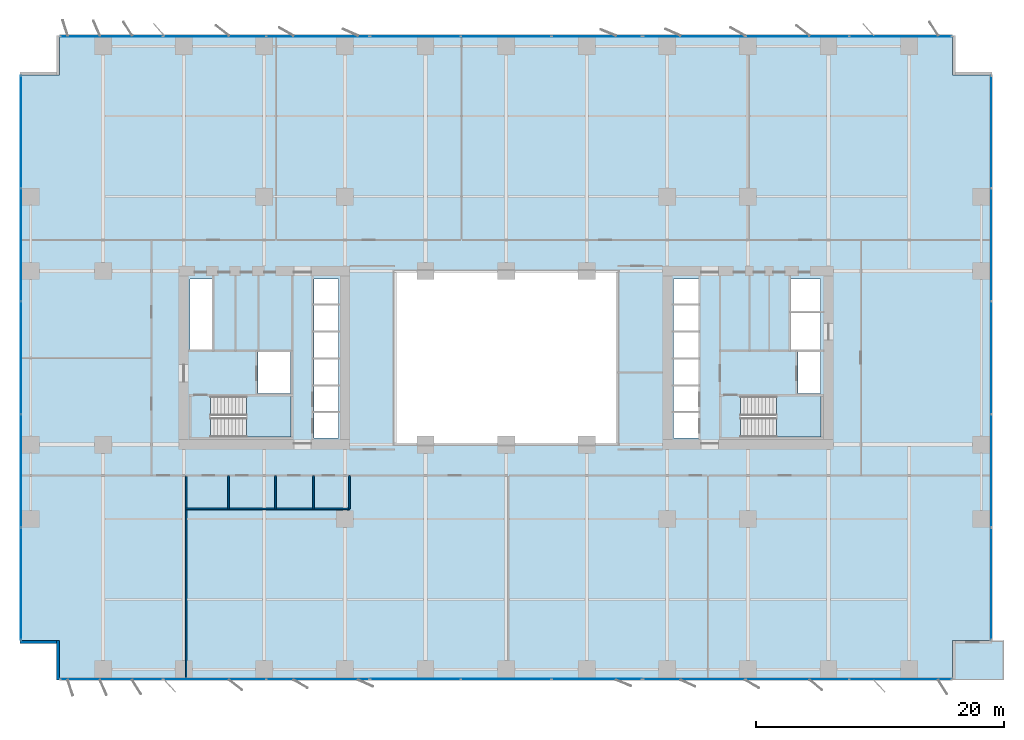
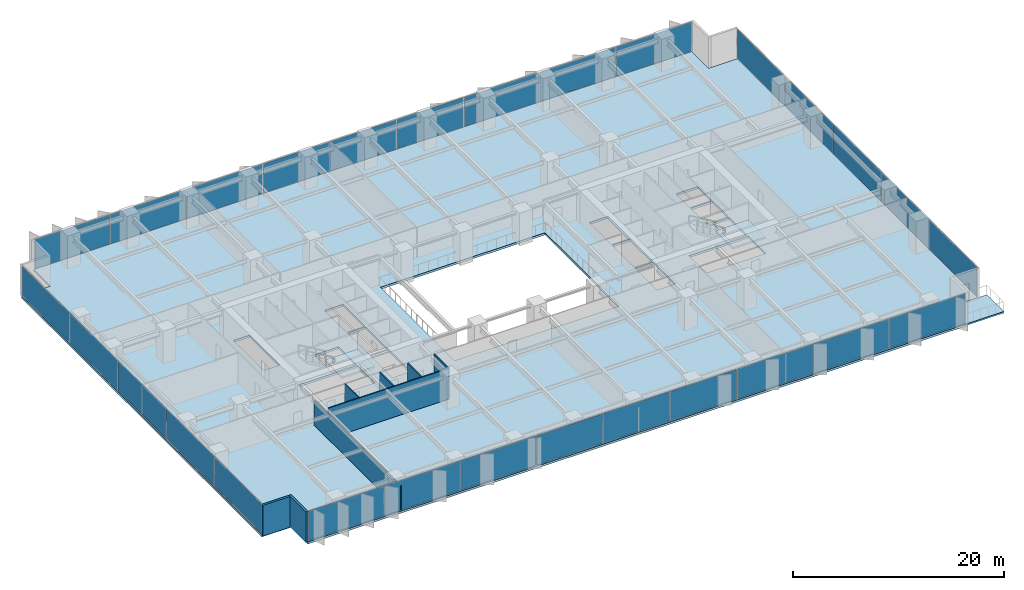
# One storey, part 12 of 20: 28 plates, 8 walls, 4 slabs, 10 elements without a shape of their own.
"""IFC4 building model written with IfcOpenShell, lengths in metres."""

from ifc_helpers import new_model, si_unit, direction, frame, frame_2d, origin, origin_2d, place, context, subcontext, project, spatial, polyline, rectangle, outline, extrude, material, layer, layer_set, type_object, element, aggregate, save


model = new_model("IFC4")

# Units and contexts
model_context = context("Model", 3, precision=1e-05, world=origin(), true_north=direction((0.0, 1.0)))
body_context = subcontext(model_context, "Body", "Model", "MODEL_VIEW")
ifc_project = project(units=[si_unit("LENGTHUNIT", "METRE"), si_unit("AREAUNIT", "SQUARE_METRE"), si_unit("VOLUMEUNIT", "CUBIC_METRE"), si_unit("PLANEANGLEUNIT", "RADIAN"), si_unit("MASSUNIT", "GRAM", prefix="KILO")], contexts=[model_context])

# Site, building, storey
site_placement = place(None, origin())
site = spatial("IfcSite", under=ifc_project, at=site_placement, CompositionType="ELEMENT")
building_placement = place(site_placement, origin())
building = spatial("IfcBuilding", under=site, at=building_placement, Name="Putna Gate Headquarters", CompositionType="ELEMENT")
storey_placement = place(building_placement, frame((0.0, 0.0, 46.800048828125)))
storey = spatial("IfcBuildingStorey", under=building, at=storey_placement, Name="L10", CompositionType="ELEMENT", Elevation=46.800048828125)

# Stair, slab
ifc_material_1 = material(Name="Concrete C40/50", Category="concrete")
stair_type_1 = type_object("IfcStairType", Name="STAIR-ST1", PredefinedType="HALF_TURN_STAIR", material=ifc_material_1)
stair_1_placement = place(storey_placement, origin())
stair_1 = element("IfcStair", 1, at=stair_1_placement, inside=storey, type_object=stair_type_1, Name="L10 West Core Exit Stair ST1", PredefinedType="HALF_TURN_STAIR")
ifc_layer_1 = layer(ifc_material_1, 0.199951171875)
ifc_layer_set_1 = layer_set([ifc_layer_1], Name="Concrete C40/50")
slab_type_1 = type_object("IfcSlabType", Name="LANDING-ST1", PredefinedType="LANDING", material=ifc_layer_set_1)
slab_1_placement = place(storey_placement, frame((0.0, 0.0, 1.699951171875)))
slab_1 = element("IfcSlab", 2, at=slab_1_placement, type_object=slab_type_1, Name="ST1 landing 1", PredefinedType="LANDING", context=body_context, shape_type="SweptSolid", body=[
    extrude(outline(polyline([(18.050048828125, 19.60009765625), (21.64990234375, 19.60009765625), (21.64990234375, 22.89990234375), (18.050048828125, 22.89990234375), (18.050048828125, 19.60009765625)])), origin(), (0.0, 0.0, 1.0), 0.199951171875),
])
aggregate(stair_1, [slab_1])

stair_type_2 = type_object("IfcStairType", Name="STAIR-ST2", PredefinedType="HALF_TURN_STAIR", material=ifc_material_1)
stair_2_placement = place(storey_placement, origin())
stair_2 = element("IfcStair", 3, at=stair_2_placement, inside=storey, type_object=stair_type_2, Name="L10 East Core Exit Stair ST2", PredefinedType="HALF_TURN_STAIR")
ifc_layer_2 = layer(ifc_material_1, 0.199951171875)
ifc_layer_set_2 = layer_set([ifc_layer_2], Name="Concrete C40/50")
slab_type_2 = type_object("IfcSlabType", Name="LANDING-ST2", PredefinedType="LANDING", material=ifc_layer_set_2)
slab_2_placement = place(storey_placement, frame((0.0, 0.0, 1.699951171875)))
slab_2 = element("IfcSlab", 4, at=slab_2_placement, type_object=slab_type_2, Name="ST2 landing 1", PredefinedType="LANDING", context=body_context, shape_type="SweptSolid", body=[
    extrude(outline(polyline([(60.800048828125, 19.60009765625), (64.39990234375, 19.60009765625), (64.39990234375, 22.89990234375), (60.800048828125, 22.89990234375), (60.800048828125, 19.60009765625)])), origin(), (0.0, 0.0, 1.0), 0.199951171875),
])
aggregate(stair_2, [slab_2])

# Curtain wall, plates
ifc_material_2 = material(Name="Anodised bronze aluminium curtain wall", Category="aluminium")
ifc_layer_3 = layer(ifc_material_2, 0.179931640625)
ifc_layer_set_3 = layer_set([ifc_layer_3], Name="Anodised bronze aluminium curtain wall")
curtain_wall_type_1 = type_object("IfcCurtainWallType", Name="CW-SYS-Z1", PredefinedType="USERDEFINED", material=ifc_layer_set_3)
curtain_wall_1_placement = place(storey_placement, origin())
curtain_wall_1 = element("IfcCurtainWall", 5, at=curtain_wall_1_placement, inside=storey, type_object=curtain_wall_type_1, Name="L10 South West Curtain Wall", ObjectType="STICK CURTAIN WALL", PredefinedType="USERDEFINED")
ifc_material_3 = material(Name="Solar-control triple low-E glass", Category="glass")
ifc_layer_4 = layer(ifc_material_3, 0.031982421875)
ifc_layer_set_4 = layer_set([ifc_layer_4], Name="Solar-control triple low-E glass")
plate_type_1 = type_object("IfcPlateType", Name="PAN-CWP-1", PredefinedType="CURTAIN_PANEL", material=ifc_layer_set_4)
plate_1_placement = place(storey_placement, frame((7.18408203125, 0.080078125, 0.06494140625), z_axis=(0.0, 0.0, 1.0), x_axis=(1.0, 0.0, 0.0)))
plate_1 = element("IfcPlate", 6, at=plate_1_placement, type_object=plate_type_1, Name="CWS-1 panel 1.1", PredefinedType="CURTAIN_PANEL", context=body_context, shape_type="SweptSolid", body=[
    extrude(rectangle(XDim=8.228271484375, YDim=0.031982421875, at=origin_2d()), origin(), (0.0, 0.0, 1.0), 3.419921875),
])
plate_2_placement = place(storey_placement, frame((15.5, 0.080078125, 0.06494140625), z_axis=(0.0, 0.0, 1.0), x_axis=(1.0, 0.0, 0.0)))
plate_2 = element("IfcPlate", 7, at=plate_2_placement, type_object=plate_type_1, Name="CWS-1 panel 2.1", PredefinedType="CURTAIN_PANEL", context=body_context, shape_type="SweptSolid", body=[
    extrude(rectangle(XDim=8.263427734375, YDim=0.031982421875, at=origin_2d()), origin(), (0.0, 0.0, 1.0), 3.419921875),
])
plate_3_placement = place(storey_placement, frame((23.81591796875, 0.080078125, 0.06494140625), z_axis=(0.0, 0.0, 1.0), x_axis=(1.0, 0.0, 0.0)))
plate_3 = element("IfcPlate", 8, at=plate_3_placement, type_object=plate_type_1, Name="CWS-1 panel 3.1", PredefinedType="CURTAIN_PANEL", context=body_context, shape_type="SweptSolid", body=[
    extrude(rectangle(XDim=8.228271484375, YDim=0.031982421875, at=origin_2d()), origin(), (0.0, 0.0, 1.0), 3.419921875),
])
aggregate(curtain_wall_1, [plate_1, plate_2, plate_3])

curtain_wall_2_placement = place(storey_placement, origin())
curtain_wall_2 = element("IfcCurtainWall", 9, at=curtain_wall_2_placement, inside=storey, type_object=curtain_wall_type_1, Name="L10 South East Curtain Wall", ObjectType="STICK CURTAIN WALL", PredefinedType="USERDEFINED")
plate_4_placement = place(storey_placement, frame((54.18408203125, 0.080078125, 0.06494140625), z_axis=(0.0, 0.0, 1.0), x_axis=(1.0, 0.0, 0.0)))
plate_4 = element("IfcPlate", 10, at=plate_4_placement, type_object=plate_type_1, Name="CWS-1 panel 1.1", PredefinedType="CURTAIN_PANEL", context=body_context, shape_type="SweptSolid", body=[
    extrude(rectangle(XDim=8.228271484375, YDim=0.031982421875, at=origin_2d()), origin(), (0.0, 0.0, 1.0), 3.419921875),
])
plate_5_placement = place(storey_placement, frame((62.5, 0.080078125, 0.06494140625), z_axis=(0.0, 0.0, 1.0), x_axis=(1.0, 0.0, 0.0)))
plate_5 = element("IfcPlate", 11, at=plate_5_placement, type_object=plate_type_1, Name="CWS-1 panel 2.1", PredefinedType="CURTAIN_PANEL", context=body_context, shape_type="SweptSolid", body=[
    extrude(rectangle(XDim=8.263427734375, YDim=0.031982421875, at=origin_2d()), origin(), (0.0, 0.0, 1.0), 3.419921875),
])
plate_6_placement = place(storey_placement, frame((70.81591796875, 0.080078125, 0.06494140625), z_axis=(0.0, 0.0, 1.0), x_axis=(1.0, 0.0, 0.0)))
plate_6 = element("IfcPlate", 12, at=plate_6_placement, type_object=plate_type_1, Name="CWS-1 panel 3.1", PredefinedType="CURTAIN_PANEL", context=body_context, shape_type="SweptSolid", body=[
    extrude(rectangle(XDim=8.228271484375, YDim=0.031982421875, at=origin_2d()), origin(), (0.0, 0.0, 1.0), 3.419921875),
])
aggregate(curtain_wall_2, [plate_4, plate_5, plate_6])

curtain_wall_3_placement = place(storey_placement, origin())
curtain_wall_3 = element("IfcCurtainWall", 13, at=curtain_wall_3_placement, inside=storey, type_object=curtain_wall_type_1, Name="L10 North West Curtain Wall", ObjectType="STICK CURTAIN WALL", PredefinedType="USERDEFINED")
plate_7_placement = place(storey_placement, frame((7.18408203125, 51.919921875, 0.06494140625), z_axis=(0.0, 0.0, 1.0), x_axis=(1.0, 0.0, 0.0)))
plate_7 = element("IfcPlate", 14, at=plate_7_placement, type_object=plate_type_1, Name="CWS-1 panel 1.1", PredefinedType="CURTAIN_PANEL", context=body_context, shape_type="SweptSolid", body=[
    extrude(rectangle(XDim=8.228271484375, YDim=0.031982421875, at=origin_2d()), origin(), (0.0, 0.0, 1.0), 3.419921875),
])
plate_8_placement = place(storey_placement, frame((15.5, 51.919921875, 0.06494140625), z_axis=(0.0, 0.0, 1.0), x_axis=(1.0, 0.0, 0.0)))
plate_8 = element("IfcPlate", 15, at=plate_8_placement, type_object=plate_type_1, Name="CWS-1 panel 2.1", PredefinedType="CURTAIN_PANEL", context=body_context, shape_type="SweptSolid", body=[
    extrude(rectangle(XDim=8.263427734375, YDim=0.031982421875, at=origin_2d()), origin(), (0.0, 0.0, 1.0), 3.419921875),
])
plate_9_placement = place(storey_placement, frame((23.81591796875, 51.919921875, 0.06494140625), z_axis=(0.0, 0.0, 1.0), x_axis=(1.0, 0.0, 0.0)))
plate_9 = element("IfcPlate", 16, at=plate_9_placement, type_object=plate_type_1, Name="CWS-1 panel 3.1", PredefinedType="CURTAIN_PANEL", context=body_context, shape_type="SweptSolid", body=[
    extrude(rectangle(XDim=8.228271484375, YDim=0.031982421875, at=origin_2d()), origin(), (0.0, 0.0, 1.0), 3.419921875),
])
aggregate(curtain_wall_3, [plate_7, plate_8, plate_9])

curtain_wall_4_placement = place(storey_placement, origin())
curtain_wall_4 = element("IfcCurtainWall", 17, at=curtain_wall_4_placement, inside=storey, type_object=curtain_wall_type_1, Name="L10 North East Curtain Wall", ObjectType="STICK CURTAIN WALL", PredefinedType="USERDEFINED")
plate_10_placement = place(storey_placement, frame((54.18408203125, 51.919921875, 0.06494140625), z_axis=(0.0, 0.0, 1.0), x_axis=(1.0, 0.0, 0.0)))
plate_10 = element("IfcPlate", 18, at=plate_10_placement, type_object=plate_type_1, Name="CWS-1 panel 1.1", PredefinedType="CURTAIN_PANEL", context=body_context, shape_type="SweptSolid", body=[
    extrude(rectangle(XDim=8.228271484375, YDim=0.031982421875, at=origin_2d()), origin(), (0.0, 0.0, 1.0), 3.419921875),
])
plate_11_placement = place(storey_placement, frame((62.5, 51.919921875, 0.06494140625), z_axis=(0.0, 0.0, 1.0), x_axis=(1.0, 0.0, 0.0)))
plate_11 = element("IfcPlate", 19, at=plate_11_placement, type_object=plate_type_1, Name="CWS-1 panel 2.1", PredefinedType="CURTAIN_PANEL", context=body_context, shape_type="SweptSolid", body=[
    extrude(rectangle(XDim=8.263427734375, YDim=0.031982421875, at=origin_2d()), origin(), (0.0, 0.0, 1.0), 3.419921875),
])
plate_12_placement = place(storey_placement, frame((70.81591796875, 51.919921875, 0.06494140625), z_axis=(0.0, 0.0, 1.0), x_axis=(1.0, 0.0, 0.0)))
plate_12 = element("IfcPlate", 20, at=plate_12_placement, type_object=plate_type_1, Name="CWS-1 panel 3.1", PredefinedType="CURTAIN_PANEL", context=body_context, shape_type="SweptSolid", body=[
    extrude(rectangle(XDim=8.228271484375, YDim=0.031982421875, at=origin_2d()), origin(), (0.0, 0.0, 1.0), 3.419921875),
])
aggregate(curtain_wall_4, [plate_10, plate_11, plate_12])

curtain_wall_5_placement = place(storey_placement, origin())
curtain_wall_5 = element("IfcCurtainWall", 21, at=curtain_wall_5_placement, inside=storey, type_object=curtain_wall_type_1, Name="L10 West Curtain Wall", ObjectType="STICK CURTAIN WALL", PredefinedType="USERDEFINED")
plate_13_placement = place(storey_placement, frame((-0.1201171875, 7.777587890625, 0.06494140625), z_axis=(0.0, 0.0, 1.0), x_axis=(0.0, 1.0, 0.0)))
plate_13 = element("IfcPlate", 22, at=plate_13_placement, type_object=plate_type_1, Name="CWS-1 panel 1.1", PredefinedType="CURTAIN_PANEL", context=body_context, shape_type="SweptSolid", body=[
    extrude(rectangle(XDim=9.014892578125, YDim=0.031982421875, at=origin_2d()), origin(), (0.0, 0.0, 1.0), 3.419921875),
])
plate_14_placement = place(storey_placement, frame((-0.1201171875, 16.8798828125, 0.06494140625), z_axis=(0.0, 0.0, 1.0), x_axis=(0.0, 1.0, 0.0)))
plate_14 = element("IfcPlate", 23, at=plate_14_placement, type_object=plate_type_1, Name="CWS-1 panel 2.1", PredefinedType="CURTAIN_PANEL", context=body_context, shape_type="SweptSolid", body=[
    extrude(rectangle(XDim=9.050048828125, YDim=0.031982421875, at=origin_2d()), origin(), (0.0, 0.0, 1.0), 3.419921875),
])
plate_15_placement = place(storey_placement, frame((-0.1201171875, 26.0, 0.06494140625), z_axis=(0.0, 0.0, 1.0), x_axis=(0.0, 1.0, 0.0)))
plate_15 = element("IfcPlate", 24, at=plate_15_placement, type_object=plate_type_1, Name="CWS-1 panel 3.1", PredefinedType="CURTAIN_PANEL", context=body_context, shape_type="SweptSolid", body=[
    extrude(rectangle(XDim=9.050048828125, YDim=0.031982421875, at=origin_2d()), origin(), (0.0, 0.0, 1.0), 3.419921875),
])
plate_16_placement = place(storey_placement, frame((-0.1201171875, 35.1201171875, 0.06494140625), z_axis=(0.0, 0.0, 1.0), x_axis=(0.0, 1.0, 0.0)))
plate_16 = element("IfcPlate", 25, at=plate_16_placement, type_object=plate_type_1, Name="CWS-1 panel 4.1", PredefinedType="CURTAIN_PANEL", context=body_context, shape_type="SweptSolid", body=[
    extrude(rectangle(XDim=9.050048828125, YDim=0.031982421875, at=origin_2d()), origin(), (0.0, 0.0, 1.0), 3.419921875),
])
plate_17_placement = place(storey_placement, frame((-0.1201171875, 44.222412109375, 0.06494140625), z_axis=(0.0, 0.0, 1.0), x_axis=(0.0, 1.0, 0.0)))
plate_17 = element("IfcPlate", 26, at=plate_17_placement, type_object=plate_type_1, Name="CWS-1 panel 5.1", PredefinedType="CURTAIN_PANEL", context=body_context, shape_type="SweptSolid", body=[
    extrude(rectangle(XDim=9.014892578125, YDim=0.031982421875, at=origin_2d()), origin(), (0.0, 0.0, 1.0), 3.419921875),
])
aggregate(curtain_wall_5, [plate_13, plate_14, plate_15, plate_16, plate_17])

curtain_wall_6_placement = place(storey_placement, origin())
curtain_wall_6 = element("IfcCurtainWall", 27, at=curtain_wall_6_placement, inside=storey, type_object=curtain_wall_type_1, Name="L10 East Curtain Wall", ObjectType="STICK CURTAIN WALL", PredefinedType="USERDEFINED")
plate_18_placement = place(storey_placement, frame((78.1201171875, 7.777587890625, 0.06494140625), z_axis=(0.0, 0.0, 1.0), x_axis=(0.0, 1.0, 0.0)))
plate_18 = element("IfcPlate", 28, at=plate_18_placement, type_object=plate_type_1, Name="CWS-1 panel 1.1", PredefinedType="CURTAIN_PANEL", context=body_context, shape_type="SweptSolid", body=[
    extrude(rectangle(XDim=9.014892578125, YDim=0.031982421875, at=origin_2d()), origin(), (0.0, 0.0, 1.0), 3.419921875),
])
plate_19_placement = place(storey_placement, frame((78.1201171875, 16.8798828125, 0.06494140625), z_axis=(0.0, 0.0, 1.0), x_axis=(0.0, 1.0, 0.0)))
plate_19 = element("IfcPlate", 29, at=plate_19_placement, type_object=plate_type_1, Name="CWS-1 panel 2.1", PredefinedType="CURTAIN_PANEL", context=body_context, shape_type="SweptSolid", body=[
    extrude(rectangle(XDim=9.050048828125, YDim=0.031982421875, at=origin_2d()), origin(), (0.0, 0.0, 1.0), 3.419921875),
])
plate_20_placement = place(storey_placement, frame((78.1201171875, 26.0, 0.06494140625), z_axis=(0.0, 0.0, 1.0), x_axis=(0.0, 1.0, 0.0)))
plate_20 = element("IfcPlate", 30, at=plate_20_placement, type_object=plate_type_1, Name="CWS-1 panel 3.1", PredefinedType="CURTAIN_PANEL", context=body_context, shape_type="SweptSolid", body=[
    extrude(rectangle(XDim=9.050048828125, YDim=0.031982421875, at=origin_2d()), origin(), (0.0, 0.0, 1.0), 3.419921875),
])
plate_21_placement = place(storey_placement, frame((78.1201171875, 35.1201171875, 0.06494140625), z_axis=(0.0, 0.0, 1.0), x_axis=(0.0, 1.0, 0.0)))
plate_21 = element("IfcPlate", 31, at=plate_21_placement, type_object=plate_type_1, Name="CWS-1 panel 4.1", PredefinedType="CURTAIN_PANEL", context=body_context, shape_type="SweptSolid", body=[
    extrude(rectangle(XDim=9.050048828125, YDim=0.031982421875, at=origin_2d()), origin(), (0.0, 0.0, 1.0), 3.419921875),
])
plate_22_placement = place(storey_placement, frame((78.1201171875, 44.222412109375, 0.06494140625), z_axis=(0.0, 0.0, 1.0), x_axis=(0.0, 1.0, 0.0)))
plate_22 = element("IfcPlate", 32, at=plate_22_placement, type_object=plate_type_1, Name="CWS-1 panel 5.1", PredefinedType="CURTAIN_PANEL", context=body_context, shape_type="SweptSolid", body=[
    extrude(rectangle(XDim=9.014892578125, YDim=0.031982421875, at=origin_2d()), origin(), (0.0, 0.0, 1.0), 3.419921875),
])
aggregate(curtain_wall_6, [plate_18, plate_19, plate_20, plate_21, plate_22])

ifc_layer_5 = layer(ifc_material_2, 0.179931640625)
ifc_layer_set_5 = layer_set([ifc_layer_5], Name="Anodised bronze aluminium curtain wall")
curtain_wall_type_2 = type_object("IfcCurtainWallType", Name="CW-SYS-ATR", PredefinedType="USERDEFINED", material=ifc_layer_set_5)
curtain_wall_7_placement = place(storey_placement, origin())
curtain_wall_7 = element("IfcCurtainWall", 33, at=curtain_wall_7_placement, inside=storey, type_object=curtain_wall_type_2, Name="L10 South Atrium Clear Glazing", ObjectType="ATRIUM GLAZING", PredefinedType="USERDEFINED")
ifc_material_4 = material(Name="Clear low-iron triple glazing", Category="glass")
ifc_layer_6 = layer(ifc_material_4, 0.0400390625)
ifc_layer_set_6 = layer_set([ifc_layer_6], Name="Clear low-iron triple glazing")
plate_type_2 = type_object("IfcPlateType", Name="PAN-CWP-AT", PredefinedType="CURTAIN_PANEL", material=ifc_layer_set_6)
plate_23_placement = place(storey_placement, frame((31.68408203125, 0.080078125, 0.06982421875), z_axis=(0.0, 0.0, 1.0), x_axis=(1.0, 0.0, 0.0)))
plate_23 = element("IfcPlate", 34, at=plate_23_placement, type_object=plate_type_2, Name="CWS-AT panel 1.1", PredefinedType="CURTAIN_PANEL", context=body_context, shape_type="SweptSolid", body=[
    extrude(rectangle(XDim=7.228271484375, YDim=0.0400390625, at=origin_2d()), origin(), (0.0, 0.0, 1.0), 3.409912109375),
])
plate_24_placement = place(storey_placement, frame((39.0, 0.080078125, 0.06982421875), z_axis=(0.0, 0.0, 1.0), x_axis=(1.0, 0.0, 0.0)))
plate_24 = element("IfcPlate", 35, at=plate_24_placement, type_object=plate_type_2, Name="CWS-AT panel 2.1", PredefinedType="CURTAIN_PANEL", context=body_context, shape_type="SweptSolid", body=[
    extrude(rectangle(XDim=7.263427734375, YDim=0.0400390625, at=origin_2d()), origin(), (0.0, 0.0, 1.0), 3.409912109375),
])
plate_25_placement = place(storey_placement, frame((46.31591796875, 0.080078125, 0.06982421875), z_axis=(0.0, 0.0, 1.0), x_axis=(1.0, 0.0, 0.0)))
plate_25 = element("IfcPlate", 36, at=plate_25_placement, type_object=plate_type_2, Name="CWS-AT panel 3.1", PredefinedType="CURTAIN_PANEL", context=body_context, shape_type="SweptSolid", body=[
    extrude(rectangle(XDim=7.228271484375, YDim=0.0400390625, at=origin_2d()), origin(), (0.0, 0.0, 1.0), 3.409912109375),
])
aggregate(curtain_wall_7, [plate_23, plate_24, plate_25])

curtain_wall_8_placement = place(storey_placement, origin())
curtain_wall_8 = element("IfcCurtainWall", 37, at=curtain_wall_8_placement, inside=storey, type_object=curtain_wall_type_2, Name="L10 North Atrium Clear Glazing", ObjectType="ATRIUM GLAZING", PredefinedType="USERDEFINED")
plate_26_placement = place(storey_placement, frame((31.68408203125, 51.919921875, 0.06982421875), z_axis=(0.0, 0.0, 1.0), x_axis=(1.0, 0.0, 0.0)))
plate_26 = element("IfcPlate", 38, at=plate_26_placement, type_object=plate_type_2, Name="CWS-AT panel 1.1", PredefinedType="CURTAIN_PANEL", context=body_context, shape_type="SweptSolid", body=[
    extrude(rectangle(XDim=7.228271484375, YDim=0.0400390625, at=origin_2d()), origin(), (0.0, 0.0, 1.0), 3.409912109375),
])
plate_27_placement = place(storey_placement, frame((39.0, 51.919921875, 0.06982421875), z_axis=(0.0, 0.0, 1.0), x_axis=(1.0, 0.0, 0.0)))
plate_27 = element("IfcPlate", 39, at=plate_27_placement, type_object=plate_type_2, Name="CWS-AT panel 2.1", PredefinedType="CURTAIN_PANEL", context=body_context, shape_type="SweptSolid", body=[
    extrude(rectangle(XDim=7.263427734375, YDim=0.0400390625, at=origin_2d()), origin(), (0.0, 0.0, 1.0), 3.409912109375),
])
plate_28_placement = place(storey_placement, frame((46.31591796875, 51.919921875, 0.06982421875), z_axis=(0.0, 0.0, 1.0), x_axis=(1.0, 0.0, 0.0)))
plate_28 = element("IfcPlate", 40, at=plate_28_placement, type_object=plate_type_2, Name="CWS-AT panel 3.1", PredefinedType="CURTAIN_PANEL", context=body_context, shape_type="SweptSolid", body=[
    extrude(rectangle(XDim=7.228271484375, YDim=0.0400390625, at=origin_2d()), origin(), (0.0, 0.0, 1.0), 3.409912109375),
])
aggregate(curtain_wall_8, [plate_26, plate_27, plate_28])

# Slabs
ifc_layer_7 = layer(ifc_material_1, 0.179931640625)
ifc_layer_set_7 = layer_set([ifc_layer_7], Name="Concrete C40/50")
slab_type_3 = type_object("IfcSlabType", Name="SLAB-TERRACE-180", PredefinedType="FLOOR", material=ifc_layer_set_7)
slab_3_placement = place(storey_placement, frame((0.0, 0.0, -0.179931640625)))
element("IfcSlab", 41, at=slab_3_placement, inside=storey, type_object=slab_type_3, Name="L10 Spiral Sky-Garden Terrace Slab (SE)", PredefinedType="FLOOR", context=body_context, shape_type="SweptSolid", body=[
    extrude(outline(polyline([(74.991943359375, 0.0), (79.14990234375, 0.0), (79.14990234375, 3.2080078125), (74.991943359375, 3.2080078125), (74.991943359375, 0.0)])), origin(), (0.0, 0.0, 1.0), 0.179931640625),
])
ifc_layer_8 = layer(ifc_material_1, 0.25)
ifc_layer_set_8 = layer_set([ifc_layer_8], Name="Concrete C40/50")
slab_type_4 = type_object("IfcSlabType", Name="SLAB-Z1-250", PredefinedType="FLOOR", material=ifc_layer_set_8)
slab_4_placement = place(storey_placement, frame((0.0, 0.0, -0.25)))
element("IfcSlab", 42, at=slab_4_placement, inside=storey, type_object=slab_type_4, Name="L10 Composite Floor Slab", PredefinedType="FLOOR", context=body_context, shape_type="SweptSolid", body=[
    extrude(outline(polyline([(3.0, 0.0), (75.0, 0.0), (75.0, 3.199951171875), (78.199951171875, 3.199951171875), (78.199951171875, 48.800048828125), (75.0, 48.800048828125), (75.0, 52.0), (3.0, 52.0), (3.0, 48.800048828125), (-0.199951171875, 48.800048828125), (-0.199951171875, 3.199951171875), (3.0, 3.199951171875), (3.0, 0.0)]), holes=[polyline([(15.1650390625, 19.60009765625), (21.64990234375, 19.60009765625), (21.64990234375, 22.89990234375), (15.1650390625, 22.89990234375), (15.1650390625, 19.60009765625)]), polyline([(57.9150390625, 19.60009765625), (64.39990234375, 19.60009765625), (64.39990234375, 22.89990234375), (57.9150390625, 22.89990234375), (57.9150390625, 19.60009765625)]), polyline([(13.52001953125, 26.659912109375), (15.280029296875, 26.659912109375), (15.280029296875, 32.35009765625), (13.52001953125, 32.35009765625), (13.52001953125, 26.659912109375)]), polyline([(61.969970703125, 29.780029296875), (64.35009765625, 29.780029296875), (64.35009765625, 32.35009765625), (61.969970703125, 32.35009765625), (61.969970703125, 29.780029296875)]), polyline([(18.97998046875, 23.1201171875), (21.6201171875, 23.1201171875), (21.6201171875, 26.4599609375), (18.97998046875, 26.4599609375), (18.97998046875, 23.1201171875)]), polyline([(62.52001953125, 23.1201171875), (64.35009765625, 23.1201171875), (64.35009765625, 26.4599609375), (62.52001953125, 26.4599609375), (62.52001953125, 23.1201171875)]), polyline([(61.969970703125, 26.659912109375), (64.35009765625, 26.659912109375), (64.35009765625, 29.6201171875), (61.969970703125, 29.6201171875), (61.969970703125, 26.659912109375)]), polyline([(23.5, 19.52001953125), (25.5, 19.52001953125), (25.5, 23.699951171875), (23.5, 23.699951171875), (23.5, 19.52001953125)]), polyline([(52.47998046875, 19.52001953125), (54.5, 19.52001953125), (54.5, 23.699951171875), (52.47998046875, 23.699951171875), (52.47998046875, 19.52001953125)]), polyline([(23.5, 23.860107421875), (25.5, 23.860107421875), (25.5, 28.0400390625), (23.5, 28.0400390625), (23.5, 23.860107421875)]), polyline([(52.47998046875, 23.860107421875), (54.5, 23.860107421875), (54.5, 28.0400390625), (52.47998046875, 28.0400390625), (52.47998046875, 23.860107421875)]), polyline([(23.5, 28.199951171875), (25.5, 28.199951171875), (25.5, 32.35009765625), (23.5, 32.35009765625), (23.5, 28.199951171875)]), polyline([(52.47998046875, 28.199951171875), (54.5, 28.199951171875), (54.5, 32.35009765625), (52.47998046875, 32.35009765625), (52.47998046875, 28.199951171875)]), polyline([(30.0, 19.0), (48.0, 19.0), (48.0, 33.0), (30.0, 33.0), (30.0, 19.0)])]), origin(), (0.0, 0.0, 1.0), 0.25),
])

# Walls
ifc_material_5 = material(Name="Precast concrete C40/50", Category="concrete")
ifc_layer_9 = layer(ifc_material_5, 0.239990234375)
ifc_layer_set_9 = layer_set([ifc_layer_9], Name="Precast concrete C40/50")
wall_type_1 = type_object("IfcWallType", Name="WALL-EXT-TERR-240", PredefinedType="STANDARD", material=ifc_layer_set_9)
for number, where, z_axis, x_axis, name in (
    (43, (2.8798828125, 0.0, 0.0), (0.0, 0.0, 1.0), (0.0, 1.0, 0.0), "L10 Corner Notch Return Wall SW-V"),
    (44, (3.0, 3.080078125, 0.0), (0.0, 0.0, 1.0), (-1.0, 0.0, 0.0), "L10 Corner Notch Return Wall SW-H"),
):
    element("IfcWall", number, at=place(storey_placement, frame(where, z_axis=z_axis, x_axis=x_axis)), inside=storey, type_object=wall_type_1, Name=name, PredefinedType="STANDARD", context=body_context, shape_type="SweptSolid", body=[
        extrude(rectangle(XDim=3.199951171875, YDim=0.239990234375, at=frame_2d((1.60009765625, 0.0))), origin(), (0.0, 0.0, 1.0), 3.550048828125),
    ])
ifc_material_6 = material(Name="Acoustic gypsum board on metal stud")
ifc_layer_10 = layer(ifc_material_6, 0.1201171875)
ifc_layer_set_10 = layer_set([ifc_layer_10], Name="Acoustic gypsum board on metal stud")
wall_type_2 = type_object("IfcWallType", Name="WALL-PART-120", PredefinedType="PARTITIONING", material=ifc_layer_set_10)
wall_1_placement = place(storey_placement, frame((13.199951171875, 0.02001953125, 0.0), z_axis=(0.0, 0.0, 1.0), x_axis=(0.0, 1.0, 0.0)))
element("IfcWall", 45, at=wall_1_placement, inside=storey, type_object=wall_type_2, Name="L10 Interior Wall PART-L10-SB-DIV-01", PredefinedType="PARTITIONING", context=body_context, shape_type="SweptSolid", body=[
    extrude(rectangle(XDim=16.419921875, YDim=0.1201171875, at=frame_2d((8.2099609375, 0.0))), origin(), (0.0, 0.0, 1.0), 2.89990234375),
])
ifc_material_7 = material(Name="Fire-rated gypsum board on metal stud")
ifc_layer_11 = layer(ifc_material_7, 0.1201171875)
ifc_layer_set_11 = layer_set([ifc_layer_11], Name="Fire-rated gypsum board on metal stud")
wall_type_3 = type_object("IfcWallType", Name="WALL-PART-120-RATED", PredefinedType="PARTITIONING", material=ifc_layer_set_11)
wall_2_placement = place(storey_placement, frame((13.199951171875, 13.820068359375, 0.0), z_axis=(0.0, 0.0, 1.0), x_axis=(1.0, 0.0, 0.0)))
element("IfcWall", 46, at=wall_2_placement, inside=storey, type_object=wall_type_3, Name="L10 Interior Wall PART-L10-SAN-BACK", PredefinedType="PARTITIONING", context=body_context, shape_type="SweptSolid", body=[
    extrude(rectangle(XDim=13.16015625, YDim=0.1201171875, at=frame_2d((6.580078125, 0.0))), origin(), (0.0, 0.0, 1.0), 3.550048828125),
])
for number, where, z_axis, x_axis, name in (
    (47, (16.60009765625, 13.820068359375, 0.0), (0.0, 0.0, 1.0), (0.0, 1.0, 0.0), "L10 Interior Wall PART-L10-SAN-DIV-1"),
    (48, (20.419921875, 13.820068359375, 0.0), (0.0, 0.0, 1.0), (0.0, 1.0, 0.0), "L10 Interior Wall PART-L10-SAN-DIV-2"),
    (49, (23.4599609375, 13.820068359375, 0.0), (0.0, 0.0, 1.0), (0.0, 1.0, 0.0), "L10 Interior Wall PART-L10-SAN-DIV-3"),
    (50, (26.360107421875, 13.820068359375, 0.0), (0.0, 0.0, 1.0), (0.0, 1.0, 0.0), "L10 Interior Wall PART-L10-SAN-DIV-4"),
):
    element("IfcWall", number, at=place(storey_placement, frame(where, z_axis=z_axis, x_axis=x_axis)), inside=storey, type_object=wall_type_3, Name=name, PredefinedType="PARTITIONING", context=body_context, shape_type="SweptSolid", body=[
        extrude(rectangle(XDim=2.679931640625, YDim=0.1201171875, at=frame_2d((1.33984375, 0.0))), origin(), (0.0, 0.0, 1.0), 3.550048828125),
    ])

save(model, "model.ifc")
